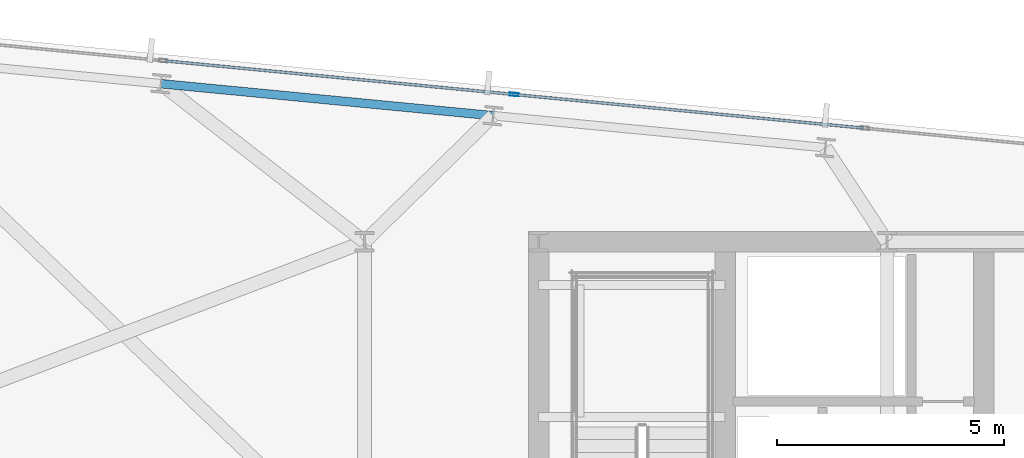
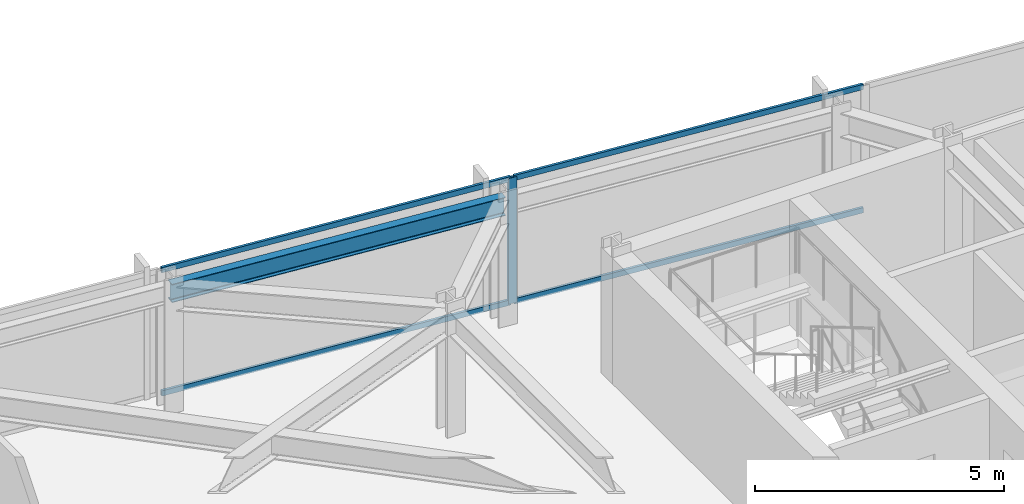
# One storey, part 25 of 38: 5 members, 1 beam, 1 element without a shape of its own.
"""IFC4 building model written with IfcOpenShell, lengths in metres."""

import ifcopenshell
import ifcopenshell.guid

model = None  # the IFC model being written
_history = None  # IfcOwnerHistory: only IFC2X3 demands one
_inside = {}  # id of a spatial element -> (the spatial element, [elements in it])
_under = {}  # id of a project, library or spatial element -> (it, [spatial elements below it])
_declared = {}  # id of a project -> (the project, [libraries it declares])
_typed = {}  # id of a type object -> (the type object, [elements of that type])
_made_of = {}  # id of a material, layer set ... -> (it, [elements and type objects made of it])


def new_model(schema):
    """Start an empty IFC model of exactly this schema.

    Asked for "IFC4X3", IfcOpenShell would pick the latest addendum, in which some entities
    have other attributes; the version numbers below select the first issue.
    IFC2X3 requires an IfcOwnerHistory on every rooted entity: one is made here for all.
    """
    global model, _history
    if schema == "IFC4X3":
        model = ifcopenshell.file(schema_version=(4, 3, 0, 0))
    else:
        model = ifcopenshell.file(schema=schema)
    _inside.clear()
    _under.clear()
    _declared.clear()
    _typed.clear()
    _made_of.clear()
    _history = None
    if model.schema == "IFC2X3":
        org = make("IfcOrganization", Name="unknown")
        user = make(
            "IfcPersonAndOrganization",
            ThePerson=make("IfcPerson", FamilyName="unknown"),
            TheOrganization=org,
        )
        app = make(
            "IfcApplication",
            ApplicationDeveloper=org,
            Version="unknown",
            ApplicationFullName="unknown",
            ApplicationIdentifier="unknown",
        )
        _history = make(
            "IfcOwnerHistory",
            OwningUser=user,
            OwningApplication=app,
            ChangeAction="ADDED",
            CreationDate=0,
        )
    return model


def make(cls, **values):
    """One entity of the class cls with the attributes given. An attribute that is None is left unset."""
    return model.create_entity(
        cls, **{name: value for name, value in values.items() if value is not None}
    )


def rooted(cls, **values):
    """An entity with a GlobalId (a new one), such as an element, a storey or a relation."""
    return make(cls, GlobalId=ifcopenshell.guid.new(), OwnerHistory=_history, **values)


def si_unit(unit_type, name, prefix=None):
    """IfcSIUnit, for example si_unit("LENGTHUNIT", "METRE", prefix="MILLI")."""
    return make("IfcSIUnit", UnitType=unit_type, Prefix=prefix, Name=name)


def assignment(units):
    """IfcUnitAssignment: the units of a project."""
    return None if units is None else make("IfcUnitAssignment", Units=units)


def point(xyz):
    """IfcCartesianPoint."""
    return None if xyz is None else make("IfcCartesianPoint", Coordinates=xyz)


def direction(xyz):
    """IfcDirection."""
    return None if xyz is None else make("IfcDirection", DirectionRatios=xyz)


def frame(location, z_axis=None, x_axis=None):
    """IfcAxis2Placement3D, a coordinate frame: its origin and axes. An axis left out is left unset."""
    return make(
        "IfcAxis2Placement3D",
        Location=point(location),
        Axis=direction(z_axis),
        RefDirection=direction(x_axis),
    )


def frame_2d(location, x_axis=None):
    """IfcAxis2Placement2D, a coordinate frame in the plane: its origin and x axis."""
    return make(
        "IfcAxis2Placement2D", Location=point(location), RefDirection=direction(x_axis)
    )


def origin():
    """The frame at (0, 0, 0) with its axes left unset."""
    return frame((0.0, 0.0, 0.0))


def origin_2d():
    """The frame at (0, 0) in the plane with its x axis left unset."""
    return frame_2d((0.0, 0.0))


def place(relative_to, where):
    """IfcLocalPlacement: puts the frame where relative to a parent placement (None: the world)."""
    return make(
        "IfcLocalPlacement", PlacementRelTo=relative_to, RelativePlacement=where
    )


def context(
    kind, dimensions, precision=None, world=None, true_north=None, identifier=None
):
    """IfcGeometricRepresentationContext, for example the 3D "Model" context."""
    return make(
        "IfcGeometricRepresentationContext",
        ContextIdentifier=identifier,
        ContextType=kind,
        CoordinateSpaceDimension=dimensions,
        Precision=precision,
        WorldCoordinateSystem=world,
        TrueNorth=true_north,
    )


def subcontext(parent, identifier, kind, view, scale=None):
    """IfcGeometricRepresentationSubContext, for example "Body" below "Model"."""
    return make(
        "IfcGeometricRepresentationSubContext",
        ContextIdentifier=identifier,
        ContextType=kind,
        ParentContext=parent,
        TargetScale=scale,
        TargetView=view,
    )


def project(units=None, contexts=None):
    """IfcProject with its units and contexts."""
    return rooted(
        "IfcProject",
        Name="project",
        RepresentationContexts=contexts,
        UnitsInContext=assignment(units),
    )


def spatial(cls, under=None, at=None, **own):
    """A site, building, storey or space (cls), placed at a placement, below another one or the project."""
    s = rooted(cls, ObjectPlacement=at, **own)
    if under is not None:
        _under.setdefault(under.id(), (under, []))[1].append(s)
    return s


def profile(cls, at=None, kind="AREA", **sizes):
    """A parametric profile (cls). Its sizes go by their IFC names, for example OverallWidth=200.0."""
    return make(cls, ProfileType=kind, Position=at, **sizes)


def hollow_rectangle(**sizes):
    """IfcRectangleHollowProfileDef."""
    return profile("IfcRectangleHollowProfileDef", **sizes)


def i_section(**sizes):
    """IfcIShapeProfileDef."""
    return profile("IfcIShapeProfileDef", **sizes)


def extrude(swept, where, along, depth):
    """IfcExtrudedAreaSolid: the profile swept, set in the frame where, extruded along a direction by depth."""
    return make(
        "IfcExtrudedAreaSolid",
        SweptArea=swept,
        Position=where,
        ExtrudedDirection=direction(along),
        Depth=depth,
    )


def shape(context_of_items, identifier, shape_type, items):
    """IfcShapeRepresentation: the items that make up one representation, for example the "Body"."""
    return make(
        "IfcShapeRepresentation",
        ContextOfItems=context_of_items,
        RepresentationIdentifier=identifier,
        RepresentationType=shape_type,
        Items=items,
    )


def material(Name=None, Category=None):
    """IfcMaterial."""
    return make("IfcMaterial", Name=Name, Category=Category)


def material_profile(
    of_material, cross_section, Name=None, Category=None, Priority=None
):
    """IfcMaterialProfile: a cross section and its material."""
    return make(
        "IfcMaterialProfile",
        Name=Name,
        Material=of_material,
        Profile=cross_section,
        Priority=Priority,
        Category=Category,
    )


def profile_set(profiles, Name=None, composite=None):
    """IfcMaterialProfileSet."""
    return make(
        "IfcMaterialProfileSet",
        Name=Name,
        MaterialProfiles=profiles,
        CompositeProfile=composite,
    )


def made_of(thing, what):
    """Note that an element or type object is made of a material, layer set ...; save() writes the relation."""
    if what is not None:
        _made_of.setdefault(what.id(), (what, []))[1].append(thing)
    return thing


def type_object(cls, material=None, **own):
    """A type object (cls), such as IfcWallType, which elements share."""
    return made_of(rooted(cls, **own), material)


def element(
    cls,
    number,
    at=None,
    inside=None,
    cuts=None,
    type_object=None,
    material=None,
    context=None,
    identifier="Body",
    shape_type=None,
    held_by="IfcProductDefinitionShape",
    body=None,
    shapes=None,
    **own,
):
    """One element of the class cls, such as IfcWall. Its Tag is "e" and its number.

    at: its placement. inside: the storey or other place that contains it. cuts: it is an
    opening in that element (IfcRelVoidsElement). A single representation is given by context,
    identifier, shape_type and body (its items); several are given by shapes. held_by: the class
    of the entity that holds the representations. save() writes the other relations.
    """
    e = rooted(cls, Tag="e%d" % number, ObjectPlacement=at, **own)
    if body is not None:
        shapes = [shape(context, identifier, shape_type, body)]
    if shapes is not None:
        e.Representation = make(held_by, Representations=shapes)
    if inside is not None:
        _inside.setdefault(inside.id(), (inside, []))[1].append(e)
    if cuts is not None:
        rooted(
            "IfcRelVoidsElement", RelatingBuildingElement=cuts, RelatedOpeningElement=e
        )
    if type_object is not None:
        _typed.setdefault(type_object.id(), (type_object, []))[1].append(e)
    return made_of(e, material)


def aggregate(whole, parts):
    """IfcRelAggregates: a whole, such as a stair, and the parts it consists of."""
    return rooted("IfcRelAggregates", RelatingObject=whole, RelatedObjects=parts)


def save(model, path):
    """Write the relations noted so far, then the file.

    IfcRelAggregates (storeys below a building ...), IfcRelContainedInSpatialStructure (elements
    in a storey), IfcRelDefinesByType, IfcRelAssociatesMaterial and IfcRelDeclares: one each for
    every whole, place, type object, material and project.
    """
    for whole, parts in _under.values():
        aggregate(whole, parts)
    for where, things in _inside.values():
        rooted(
            "IfcRelContainedInSpatialStructure",
            RelatedElements=things,
            RelatingStructure=where,
        )
    for kind, things in _typed.values():
        rooted("IfcRelDefinesByType", RelatedObjects=things, RelatingType=kind)
    for what, things in _made_of.values():
        rooted("IfcRelAssociatesMaterial", RelatedObjects=things, RelatingMaterial=what)
    for by, libraries in _declared.values():
        rooted("IfcRelDeclares", RelatingContext=by, RelatedDefinitions=libraries)
    model.write(path)


model = new_model("IFC4")

# Units and contexts
model_context = context("Model", 3, precision=1e-05, world=origin(), true_north=direction((0.0, 1.0)))
body_context = subcontext(model_context, "Body", "Model", "MODEL_VIEW")
ifc_project = project(units=[si_unit("LENGTHUNIT", "METRE"), si_unit("AREAUNIT", "SQUARE_METRE"), si_unit("VOLUMEUNIT", "CUBIC_METRE"), si_unit("PLANEANGLEUNIT", "RADIAN"), si_unit("MASSUNIT", "GRAM", prefix="KILO")], contexts=[model_context])

# Site, building, storey
site_placement = place(None, origin())
site = spatial("IfcSite", under=ifc_project, at=site_placement, CompositionType="ELEMENT")
building_placement = place(site_placement, origin())
building = spatial("IfcBuilding", under=site, at=building_placement, Name="Yelkora Congress Tower", CompositionType="ELEMENT")
storey_placement = place(building_placement, frame((0.0, 0.0, 172.10009765625)))
storey = spatial("IfcBuildingStorey", under=building, at=storey_placement, Name="L47", CompositionType="ELEMENT", Elevation=172.10009765625)

# Beam
ifc_material_1 = material(Name="Steel S355J2", Category="steel")
ifc_material_profile_1 = material_profile(ifc_material_1, i_section(OverallWidth=0.18994140625, OverallDepth=0.449951171875, WebThickness=0.009521484375, FlangeThickness=0.0146484375, FilletRadius=0.02099609375, at=origin_2d()), Name="IPE 450")
ifc_profile_set_1 = profile_set([ifc_material_profile_1], Name="Steel S355J2")
beam_type = type_object("IfcBeamType", Name="BM-SPAN-IPE450", PredefinedType="SPANDREL", material=ifc_profile_set_1)
beam_placement = place(storey_placement, frame((22.035400390625, 48.980224609375, 2.85498046875), z_axis=(-0.995393938538, 0.095869218844, 0.0), x_axis=(-0.095869218844, -0.995393938538, 0.0)))
element("IfcBeam", 1, at=beam_placement, inside=storey, type_object=beam_type, Name="L47 Perimeter Beam 14", PredefinedType="SPANDREL", context=body_context, shape_type="SweptSolid", body=[
    extrude(i_section(OverallWidth=0.18994140625, OverallDepth=0.449951171875, WebThickness=0.009521484375, FlangeThickness=0.0146484375, FilletRadius=0.02099609375, at=origin_2d()), origin(), (0.0, 0.0, 1.0), 7.357177734375),
])

# Curtain wall, members
ifc_material_2 = material(Name="Anodised aluminium and insulated glass", Category="aluminium")
curtain_wall_type = type_object("IfcCurtainWallType", Name="CW-SYS-B3", PredefinedType="NOTDEFINED", material=ifc_material_2)
curtain_wall_placement = place(storey_placement, origin())
curtain_wall = element("IfcCurtainWall", 2, at=curtain_wall_placement, inside=storey, type_object=curtain_wall_type, Name="L47 Unitised Curtain Wall 10 (1)", PredefinedType="NOTDEFINED")
ifc_material_3 = material(Name="Anodised aluminium 6063-T6", Category="aluminium")
ifc_material_profile_2 = material_profile(ifc_material_3, hollow_rectangle(XDim=0.070068359375, YDim=0.18994140625, WallThickness=0.00390625, at=origin_2d()), Name="ALU 70x190x4")
ifc_profile_set_2 = profile_set([ifc_material_profile_2], Name="Anodised aluminium 6063-T6")
member_type_1 = type_object("IfcMemberType", Name="MEM-ML-B3", PredefinedType="MULLION", material=ifc_profile_set_2)
member_1_placement = place(storey_placement, frame((22.496826171875, 49.4482421875, 0.0), z_axis=(0.0, 0.0, 1.0), x_axis=(0.095844761168, 0.995396293823, 0.0)))
member_1 = element("IfcMember", 3, at=member_1_placement, type_object=member_type_1, Name="CW-B3 mullion 3", PredefinedType="MULLION", context=body_context, shape_type="SweptSolid", body=[
    extrude(hollow_rectangle(XDim=0.070068359375, YDim=0.18994140625, WallThickness=0.00390625, at=origin_2d()), origin(), (0.0, 0.0, 1.0), 3.079833984375),
])
ifc_material_profile_3 = material_profile(ifc_material_3, hollow_rectangle(XDim=0.06005859375, YDim=0.1298828125, WallThickness=0.00390625, at=origin_2d()), Name="ALU 60x130x4")
ifc_profile_set_3 = profile_set([ifc_material_profile_3], Name="Anodised aluminium 6063-T6")
member_type_2 = type_object("IfcMemberType", Name="MEM-TR-B3", PredefinedType="USERDEFINED", material=ifc_profile_set_3)
member_2_placement = place(storey_placement, frame((14.798095703125, 50.189697265625, 0.02978515625), z_axis=(0.995395016973, -0.095858020971, 0.0), x_axis=(0.095858020971, 0.995395016973, 0.0)))
member_2 = element("IfcMember", 4, at=member_2_placement, type_object=member_type_2, Name="CW-B3 transom 2.1", ObjectType="TRANSOM", PredefinedType="USERDEFINED", context=body_context, shape_type="SweptSolid", body=[
    extrude(hollow_rectangle(XDim=0.06005859375, YDim=0.1298828125, WallThickness=0.00390625, at=origin_2d()), origin(), (0.0, 0.0, 1.0), 7.69921875),
])
member_3_placement = place(storey_placement, frame((14.798095703125, 50.189697265625, 3.0498046875), z_axis=(0.995395016973, -0.095858020971, 0.0), x_axis=(0.095858020971, 0.995395016973, 0.0)))
member_3 = element("IfcMember", 5, at=member_3_placement, type_object=member_type_2, Name="CW-B3 transom 2.2", ObjectType="TRANSOM", PredefinedType="USERDEFINED", context=body_context, shape_type="SweptSolid", body=[
    extrude(hollow_rectangle(XDim=0.06005859375, YDim=0.1298828125, WallThickness=0.00390625, at=origin_2d()), origin(), (0.0, 0.0, 1.0), 7.69921875),
])
member_4_placement = place(storey_placement, frame((22.531494140625, 49.44482421875, 0.02978515625), z_axis=(0.995398333273, -0.095823578082, 0.0), x_axis=(0.095823578082, 0.995398333273, 0.0)))
member_4 = element("IfcMember", 6, at=member_4_placement, type_object=member_type_2, Name="CW-B3 transom 3.1", ObjectType="TRANSOM", PredefinedType="USERDEFINED", context=body_context, shape_type="SweptSolid", body=[
    extrude(hollow_rectangle(XDim=0.06005859375, YDim=0.1298828125, WallThickness=0.00390625, at=origin_2d()), origin(), (0.0, 0.0, 1.0), 7.699462890625),
])
member_5_placement = place(storey_placement, frame((22.531494140625, 49.44482421875, 3.0498046875), z_axis=(0.995398333273, -0.095823578082, 0.0), x_axis=(0.095823578082, 0.995398333273, 0.0)))
member_5 = element("IfcMember", 7, at=member_5_placement, type_object=member_type_2, Name="CW-B3 transom 3.2", ObjectType="TRANSOM", PredefinedType="USERDEFINED", context=body_context, shape_type="SweptSolid", body=[
    extrude(hollow_rectangle(XDim=0.06005859375, YDim=0.1298828125, WallThickness=0.00390625, at=origin_2d()), origin(), (0.0, 0.0, 1.0), 7.699462890625),
])
aggregate(curtain_wall, [member_1, member_2, member_3, member_4, member_5])

save(model, "model.ifc")
